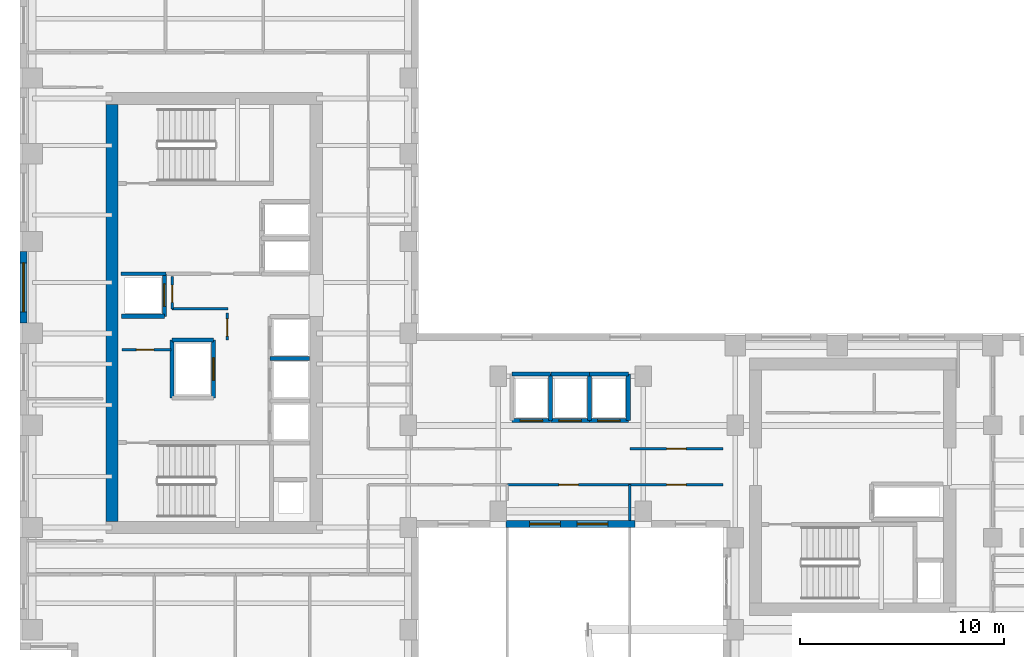
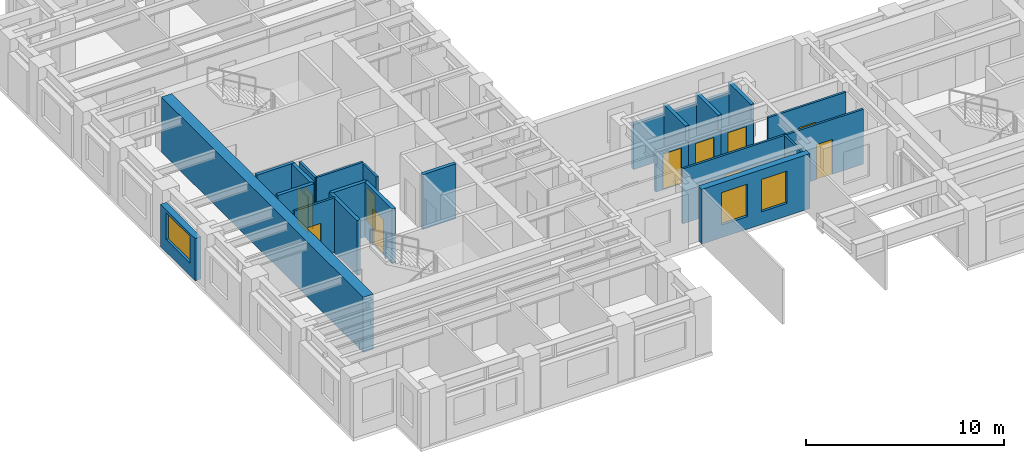
# One storey, part 7 of 13: 27 walls, 11 doors, 3 windows, 14 openings.
"""IFC4 building model written with IfcOpenShell, lengths in metres."""

from ifc_helpers import new_model, si_unit, direction, frame, frame_2d, origin, place, context, subcontext, project, spatial, rectangle, extrude, source, transform, mapped, material, layer, layer_set, type_object, element, fill, save


model = new_model("IFC4")

# Units and contexts
model_context = context("Model", 3, precision=1e-05, world=origin(), true_north=direction((0.0, 1.0)))
body_context = subcontext(model_context, "Body", "Model", "MODEL_VIEW")
ifc_project = project(units=[si_unit("LENGTHUNIT", "METRE"), si_unit("AREAUNIT", "SQUARE_METRE"), si_unit("VOLUMEUNIT", "CUBIC_METRE"), si_unit("PLANEANGLEUNIT", "RADIAN"), si_unit("MASSUNIT", "GRAM", prefix="KILO")], contexts=[model_context])

# Site, building, storey
site_placement = place(None, origin())
site = spatial("IfcSite", under=ifc_project, at=site_placement, CompositionType="ELEMENT")
building_placement = place(site_placement, origin())
building = spatial("IfcBuilding", under=site, at=building_placement, Name="Kharzan Plaza Tower", CompositionType="ELEMENT")
storey_placement = place(building_placement, frame((0.0, 0.0, 175.5)))
storey = spatial("IfcBuildingStorey", under=building, at=storey_placement, Name="L47", CompositionType="ELEMENT", Elevation=175.5)

# Wall, opening, window
ifc_material_1 = material(Name="Concrete C40/50", Category="concrete")
ifc_layer_1 = layer(ifc_material_1, 0.35009765625)
ifc_layer_set_1 = layer_set([ifc_layer_1], Name="Concrete C40/50")
wall_type_1 = type_object("IfcWallType", Name="WL-EXT-MAS-Z3", PredefinedType="SOLIDWALL", material=ifc_layer_set_1)
wall_1_placement = place(storey_placement, frame((0.175048828125, 22.001953125, 0.0), z_axis=(0.0, 0.0, 1.0), x_axis=(0.0, -1.0, 0.0)))
wall_1 = element("IfcWall", 1, at=wall_1_placement, inside=storey, type_object=wall_type_1, Name="L47 Masonry-Frame Exterior Wall 14", PredefinedType="SOLIDWALL", context=body_context, shape_type="SweptSolid", body=[
    extrude(rectangle(XDim=3.50390625, YDim=0.35009765625, at=frame_2d((1.751953125, 0.0))), origin(), (0.0, 0.0, 1.0), 2.612060546875),
])
opening_1_placement = place(wall_1_placement, frame((0.552001953125, 0.0, 0.780029296875)))
opening_1 = element("IfcOpeningElement", 2, at=opening_1_placement, cuts=wall_1, Name="Opening W2", PredefinedType="OPENING", context=body_context, shape_type="SweptSolid", body=[
    extrude(rectangle(XDim=2.39990234375, YDim=1.652099609375, at=frame_2d((1.199951171875, 0.826171875))), frame((0.0, 0.18505859375, 0.0), z_axis=(0.0, -1.0, 0.0), x_axis=(1.0, 0.0, 0.0)), (0.0, 0.0, 1.0), 0.3701171875),
])
ifc_material_2 = material(Name="Low-E Double Glazing", Category="glass")
window_type_1 = type_object("IfcWindowType", Name="WN-REC-2400x2100", PartitioningType="SINGLE_PANEL", PredefinedType="WINDOW", material=ifc_material_2)
shared_shape_1 = source(origin(), body_context, "Body", "SweptSolid", [
    extrude(rectangle(XDim=2.39990234375, YDim=1.652099609375, at=frame_2d((1.199951171875, 0.826171875))), frame((0.0, 0.030029296875, 0.0), z_axis=(0.0, -1.0, 0.0), x_axis=(1.0, 0.0, 0.0)), (0.0, 0.0, 1.0), 0.06005859375),
])
window_1_placement = place(opening_1_placement, origin())
window_1 = element("IfcWindow", 3, at=window_1_placement, inside=storey, type_object=window_type_1, Name="L47 Wide Recessed Solar-Control Window 14-1", OverallHeight=1.652099609375, OverallWidth=2.39990234375, PartitioningType="SINGLE_PANEL", PredefinedType="WINDOW", context=body_context, shape_type="MappedRepresentation", body=[
    mapped(shared_shape_1, transform((0.0, 0.0, 0.0), x_axis=(1.0, 0.0, 0.0), y_axis=(0.0, 1.0, 0.0), z_axis=(0.0, 0.0, 1.0))),
])
fill(opening_1, window_1)

# Wall, openings, windows
wall_2_placement = place(storey_placement, frame((23.798095703125, 8.675048828125, 0.0), z_axis=(0.0, 0.0, 1.0), x_axis=(1.0, 0.0, 0.0)))
wall_2 = element("IfcWall", 4, at=wall_2_placement, inside=storey, type_object=wall_type_1, Name="L47 Masonry-Frame Exterior Wall 27", PredefinedType="SOLIDWALL", context=body_context, shape_type="SweptSolid", body=[
    extrude(rectangle(XDim=6.303955078125, YDim=0.35009765625, at=frame_2d((3.15185546875, 0.0))), origin(), (0.0, 0.0, 1.0), 3.385009765625),
])
opening_2_placement = place(wall_2_placement, frame((1.147216796875, 0.0, 0.780029296875)))
opening_2 = element("IfcOpeningElement", 5, at=opening_2_placement, cuts=wall_2, Name="Opening W5", PredefinedType="OPENING", context=body_context, shape_type="SweptSolid", body=[
    extrude(rectangle(XDim=1.5, YDim=2.0, at=frame_2d((0.75, 1.0))), frame((0.0, 0.18505859375, 0.0), z_axis=(0.0, -1.0, 0.0), x_axis=(1.0, 0.0, 0.0)), (0.0, 0.0, 1.0), 0.3701171875),
])
opening_3_placement = place(wall_2_placement, frame((3.474609375, 0.0, 0.780029296875)))
opening_3 = element("IfcOpeningElement", 6, at=opening_3_placement, cuts=wall_2, Name="Opening W5", PredefinedType="OPENING", context=body_context, shape_type="SweptSolid", body=[
    extrude(rectangle(XDim=1.5, YDim=2.0, at=frame_2d((0.75, 1.0))), frame((0.0, 0.18505859375, 0.0), z_axis=(0.0, -1.0, 0.0), x_axis=(1.0, 0.0, 0.0)), (0.0, 0.0, 1.0), 0.3701171875),
])
window_type_2 = type_object("IfcWindowType", Name="WN-SLT-1500x2000", PartitioningType="SINGLE_PANEL", PredefinedType="WINDOW", material=ifc_material_2)
shared_shape_2 = source(origin(), body_context, "Body", "SweptSolid", [
    extrude(rectangle(XDim=1.5, YDim=2.0, at=frame_2d((0.75, 1.0))), frame((0.0, 0.030029296875, 0.0), z_axis=(0.0, -1.0, 0.0), x_axis=(1.0, 0.0, 0.0)), (0.0, 0.0, 1.0), 0.06005859375),
])
window_2_placement = place(opening_2_placement, origin())
window_2 = element("IfcWindow", 7, at=window_2_placement, inside=storey, type_object=window_type_2, Name="L47 Recessed Solar-Control Window 27-1", OverallHeight=2.0, OverallWidth=1.5, PartitioningType="SINGLE_PANEL", PredefinedType="WINDOW", context=body_context, shape_type="MappedRepresentation", body=[
    mapped(shared_shape_2, transform((0.0, 0.0, 0.0), x_axis=(1.0, 0.0, 0.0), y_axis=(0.0, 1.0, 0.0), z_axis=(0.0, 0.0, 1.0))),
])
fill(opening_2, window_2)
window_3_placement = place(opening_3_placement, origin())
window_3 = element("IfcWindow", 8, at=window_3_placement, inside=storey, type_object=window_type_2, Name="L47 Recessed Solar-Control Window 27-2", OverallHeight=2.0, OverallWidth=1.5, PartitioningType="SINGLE_PANEL", PredefinedType="WINDOW", context=body_context, shape_type="MappedRepresentation", body=[
    mapped(shared_shape_2, transform((0.0, 0.0, 0.0), x_axis=(1.0, 0.0, 0.0), y_axis=(0.0, 1.0, 0.0), z_axis=(0.0, 0.0, 1.0))),
])
fill(opening_3, window_3)

# Wall, opening, door
ifc_material_3 = material(Name="Fire-Rated Gypsum Board Partition", Category="gypsum")
ifc_layer_2 = layer(ifc_material_3, 0.125)
ifc_layer_set_2 = layer_set([ifc_layer_2], Name="Fire-Rated Gypsum Board Partition")
wall_type_2 = type_object("IfcWallType", Name="WL-INT-PART-125", PredefinedType="PARTITIONING", material=ifc_layer_set_2)
wall_3_placement = place(storey_placement, frame((10.14990234375, 17.679931640625, 0.0), z_axis=(0.0, 0.0, 1.0), x_axis=(0.0, 1.0, 0.0)))
wall_3 = element("IfcWall", 9, at=wall_3_placement, inside=storey, type_object=wall_type_2, Name="L47 Interior Partition CA-K2A", PredefinedType="PARTITIONING", context=body_context, shape_type="SweptSolid", body=[
    extrude(rectangle(XDim=1.320068359375, YDim=0.125, at=frame_2d((0.66015625, 0.0))), origin(), (0.0, 0.0, 1.0), 3.385009765625),
])
opening_4_placement = place(wall_3_placement, frame((0.18505859375, 0.0, 0.0)))
opening_4 = element("IfcOpeningElement", 10, at=opening_4_placement, cuts=wall_3, Name="Opening RD1", PredefinedType="OPENING", context=body_context, shape_type="SweptSolid", body=[
    extrude(rectangle(XDim=0.85009765625, YDim=2.10009765625, at=frame_2d((0.425048828125, 1.050048828125))), frame((0.0, 0.072509765625, 0.0), z_axis=(0.0, -1.0, 0.0), x_axis=(1.0, 0.0, 0.0)), (0.0, 0.0, 1.0), 0.14501953125),
])
ifc_material_4 = material(Name="Powder-Coated Fire-Rated Steel", Category="steel")
door_type_1 = type_object("IfcDoorType", Name="DR-RISER-900", OperationType="NOTDEFINED", PredefinedType="DOOR", material=ifc_material_4)
shared_shape_3 = source(origin(), body_context, "Body", "SweptSolid", [
    extrude(rectangle(XDim=0.85009765625, YDim=2.10009765625, at=frame_2d((0.425048828125, 1.050048828125))), frame((0.0, 0.02490234375, 0.0), z_axis=(0.0, -1.0, 0.0), x_axis=(1.0, 0.0, 0.0)), (0.0, 0.0, 1.0), 0.050048828125),
])
door_1_placement = place(opening_4_placement, origin())
door_1 = element("IfcDoor", 11, at=door_1_placement, inside=storey, type_object=door_type_1, Name="L47 Core Mechanical Store Door", OperationType="SINGLE_SWING_LEFT", OverallHeight=2.10009765625, OverallWidth=0.85009765625, PredefinedType="DOOR", context=body_context, shape_type="MappedRepresentation", body=[
    mapped(shared_shape_3, transform((0.0, 0.0, 0.0), x_axis=(1.0, 0.0, 0.0), y_axis=(0.0, 1.0, 0.0), z_axis=(0.0, 0.0, 1.0))),
])
fill(opening_4, door_1)

wall_4_placement = place(storey_placement, frame((7.449951171875, 19.199951171875, 0.0), z_axis=(0.0, 0.0, 1.0), x_axis=(0.0, 1.0, 0.0)))
wall_4 = element("IfcWall", 12, at=wall_4_placement, inside=storey, type_object=wall_type_2, Name="L47 Interior Partition CA-K2B", PredefinedType="PARTITIONING", context=body_context, shape_type="SweptSolid", body=[
    extrude(rectangle(XDim=1.580078125, YDim=0.125, at=frame_2d((0.7900390625, 0.0))), origin(), (0.0, 0.0, 1.0), 3.385009765625),
])
opening_5_placement = place(wall_4_placement, frame((0.31494140625, 0.0, 0.0)))
opening_5 = element("IfcOpeningElement", 13, at=opening_5_placement, cuts=wall_4, Name="Opening RD1", PredefinedType="OPENING", context=body_context, shape_type="SweptSolid", body=[
    extrude(rectangle(XDim=0.85009765625, YDim=2.10009765625, at=frame_2d((0.425048828125, 1.050048828125))), frame((0.0, 0.072509765625, 0.0), z_axis=(0.0, -1.0, 0.0), x_axis=(1.0, 0.0, 0.0)), (0.0, 0.0, 1.0), 0.14501953125),
])
door_2_placement = place(opening_5_placement, origin())
door_2 = element("IfcDoor", 14, at=door_2_placement, inside=storey, type_object=door_type_1, Name="L47 Core Plant Store Door", OperationType="SINGLE_SWING_RIGHT", OverallHeight=2.10009765625, OverallWidth=0.85009765625, PredefinedType="DOOR", context=body_context, shape_type="MappedRepresentation", body=[
    mapped(shared_shape_3, transform((0.0, 0.0, 0.0), x_axis=(1.0, 0.0, 0.0), y_axis=(0.0, 1.0, 0.0), z_axis=(0.0, 0.0, 1.0))),
])
fill(opening_5, door_2)

wall_5_placement = place(storey_placement, frame((5.0, 17.199951171875, 0.0), z_axis=(0.0, 0.0, 1.0), x_axis=(1.0, 0.0, 0.0)))
wall_5 = element("IfcWall", 15, at=wall_5_placement, inside=storey, type_object=wall_type_2, Name="L47 Interior Partition CA-K2N0", PredefinedType="PARTITIONING", context=body_context, shape_type="SweptSolid", body=[
    extrude(rectangle(XDim=2.39990234375, YDim=0.125, at=frame_2d((1.199951171875, 0.0))), origin(), (0.0, 0.0, 1.0), 3.385009765625),
])
opening_6_placement = place(wall_5_placement, frame((0.699951171875, 0.0, 0.0)))
opening_6 = element("IfcOpeningElement", 16, at=opening_6_placement, cuts=wall_5, Name="Opening RD1", PredefinedType="OPENING", context=body_context, shape_type="SweptSolid", body=[
    extrude(rectangle(XDim=0.85009765625, YDim=2.10009765625, at=frame_2d((0.425048828125, 1.050048828125))), frame((0.0, 0.072509765625, 0.0), z_axis=(0.0, -1.0, 0.0), x_axis=(1.0, 0.0, 0.0)), (0.0, 0.0, 1.0), 0.14501953125),
])
door_3_placement = place(opening_6_placement, origin())
door_3 = element("IfcDoor", 17, at=door_3_placement, inside=storey, type_object=door_type_1, Name="L47 Core Electrical Store Door", OperationType="SINGLE_SWING_RIGHT", OverallHeight=2.10009765625, OverallWidth=0.85009765625, PredefinedType="DOOR", context=body_context, shape_type="MappedRepresentation", body=[
    mapped(shared_shape_3, transform((0.0, 0.0, 0.0), x_axis=(1.0, 0.0, 0.0), y_axis=(0.0, 1.0, 0.0), z_axis=(0.0, 0.0, 1.0))),
])
fill(opening_6, door_3)

wall_6_placement = place(storey_placement, frame((29.85009765625, 12.35009765625, 0.0), z_axis=(0.0, 0.0, 1.0), x_axis=(1.0, 0.0, 0.0)))
wall_6 = element("IfcWall", 18, at=wall_6_placement, inside=storey, type_object=wall_type_2, Name="L47 Interior Partition SH-SPNE1", PredefinedType="PARTITIONING", context=body_context, shape_type="SweptSolid", body=[
    extrude(rectangle(XDim=4.5498046875, YDim=0.125, at=frame_2d((2.27490234375, 0.0))), origin(), (0.0, 0.0, 1.0), 3.385009765625),
])
opening_7_placement = place(wall_6_placement, frame((1.800048828125, 0.0, 0.0)))
opening_7 = element("IfcOpeningElement", 19, at=opening_7_placement, cuts=wall_6, Name="Opening OD1", PredefinedType="OPENING", context=body_context, shape_type="SweptSolid", body=[
    extrude(rectangle(XDim=0.949951171875, YDim=2.14990234375, at=frame_2d((0.47509765625, 1.074951171875))), frame((0.0, 0.072509765625, 0.0), z_axis=(0.0, -1.0, 0.0), x_axis=(1.0, 0.0, 0.0)), (0.0, 0.0, 1.0), 0.14501953125),
])
ifc_material_5 = material(Name="Acoustic Solid-Core Stained Oak", Category="timber")
door_type_2 = type_object("IfcDoorType", Name="DR-OFF-SINGLE", OperationType="NOTDEFINED", PredefinedType="DOOR", material=ifc_material_5)
shared_shape_4 = source(origin(), body_context, "Body", "SweptSolid", [
    extrude(rectangle(XDim=0.949951171875, YDim=2.14990234375, at=frame_2d((0.47509765625, 1.074951171875))), frame((0.0, 0.02490234375, 0.0), z_axis=(0.0, -1.0, 0.0), x_axis=(1.0, 0.0, 0.0)), (0.0, 0.0, 1.0), 0.050048828125),
])
door_4_placement = place(opening_7_placement, origin())
door_4 = element("IfcDoor", 20, at=door_4_placement, inside=storey, type_object=door_type_2, Name="L47 North-East Spine Door", OperationType="SINGLE_SWING_LEFT", OverallHeight=2.14990234375, OverallWidth=0.949951171875, PredefinedType="DOOR", context=body_context, shape_type="MappedRepresentation", body=[
    mapped(shared_shape_4, transform((0.0, 0.0, 0.0), x_axis=(1.0, 0.0, 0.0), y_axis=(0.0, 1.0, 0.0), z_axis=(0.0, 0.0, 1.0))),
])
fill(opening_7, door_4)

wall_7_placement = place(storey_placement, frame((23.85009765625, 10.60009765625, 0.0), z_axis=(0.0, 0.0, 1.0), x_axis=(1.0, 0.0, 0.0)))
wall_7 = element("IfcWall", 21, at=wall_7_placement, inside=storey, type_object=wall_type_2, Name="L47 Interior Partition SH-SPS2", PredefinedType="PARTITIONING", context=body_context, shape_type="SweptSolid", body=[
    extrude(rectangle(XDim=6.0, YDim=0.125, at=frame_2d((3.0, 0.0))), origin(), (0.0, 0.0, 1.0), 3.385009765625),
])
opening_8_placement = place(wall_7_placement, frame((2.52490234375, 0.0, 0.0)))
opening_8 = element("IfcOpeningElement", 22, at=opening_8_placement, cuts=wall_7, Name="Opening OD1", PredefinedType="OPENING", context=body_context, shape_type="SweptSolid", body=[
    extrude(rectangle(XDim=0.949951171875, YDim=2.14990234375, at=frame_2d((0.47509765625, 1.074951171875))), frame((0.0, 0.072509765625, 0.0), z_axis=(0.0, -1.0, 0.0), x_axis=(1.0, 0.0, 0.0)), (0.0, 0.0, 1.0), 0.14501953125),
])
door_5_placement = place(opening_8_placement, origin())
door_5 = element("IfcDoor", 23, at=door_5_placement, inside=storey, type_object=door_type_2, Name="L47 Spine Studio 2 Door", OperationType="SINGLE_SWING_RIGHT", OverallHeight=2.14990234375, OverallWidth=0.949951171875, PredefinedType="DOOR", context=body_context, shape_type="MappedRepresentation", body=[
    mapped(shared_shape_4, transform((0.0, 0.0, 0.0), x_axis=(1.0, 0.0, 0.0), y_axis=(0.0, 1.0, 0.0), z_axis=(0.0, 0.0, 1.0))),
])
fill(opening_8, door_5)

wall_8_placement = place(storey_placement, frame((29.85009765625, 10.60009765625, 0.0), z_axis=(0.0, 0.0, 1.0), x_axis=(1.0, 0.0, 0.0)))
wall_8 = element("IfcWall", 24, at=wall_8_placement, inside=storey, type_object=wall_type_2, Name="L47 Interior Partition SH-SPS3", PredefinedType="PARTITIONING", context=body_context, shape_type="SweptSolid", body=[
    extrude(rectangle(XDim=4.5498046875, YDim=0.125, at=frame_2d((2.27490234375, 0.0))), origin(), (0.0, 0.0, 1.0), 3.385009765625),
])
opening_9_placement = place(wall_8_placement, frame((1.800048828125, 0.0, 0.0)))
opening_9 = element("IfcOpeningElement", 25, at=opening_9_placement, cuts=wall_8, Name="Opening OD1", PredefinedType="OPENING", context=body_context, shape_type="SweptSolid", body=[
    extrude(rectangle(XDim=0.949951171875, YDim=2.14990234375, at=frame_2d((0.47509765625, 1.074951171875))), frame((0.0, 0.072509765625, 0.0), z_axis=(0.0, -1.0, 0.0), x_axis=(1.0, 0.0, 0.0)), (0.0, 0.0, 1.0), 0.14501953125),
])
door_6_placement = place(opening_9_placement, origin())
door_6 = element("IfcDoor", 26, at=door_6_placement, inside=storey, type_object=door_type_2, Name="L47 Spine Studio 3 Door", OperationType="SINGLE_SWING_LEFT", OverallHeight=2.14990234375, OverallWidth=0.949951171875, PredefinedType="DOOR", context=body_context, shape_type="MappedRepresentation", body=[
    mapped(shared_shape_4, transform((0.0, 0.0, 0.0), x_axis=(1.0, 0.0, 0.0), y_axis=(0.0, 1.0, 0.0), z_axis=(0.0, 0.0, 1.0))),
])
fill(opening_9, door_6)

ifc_layer_3 = layer(ifc_material_1, 0.199951171875)
ifc_layer_set_3 = layer_set([ifc_layer_3], Name="Concrete C40/50")
wall_type_3 = type_object("IfcWallType", Name="WL-INT-SHAFT-200", PredefinedType="PARTITIONING", material=ifc_layer_set_3)
wall_9_placement = place(storey_placement, frame((7.070068359375, 18.840087890625, 0.0), z_axis=(0.0, 0.0, 1.0), x_axis=(0.0, 1.0, 0.0)))
wall_9 = element("IfcWall", 27, at=wall_9_placement, inside=storey, type_object=wall_type_3, Name="L47 Interior Partition SHF-PL-H4-E", PredefinedType="PARTITIONING", context=body_context, shape_type="SweptSolid", body=[
    extrude(rectangle(XDim=2.059814453125, YDim=0.199951171875, at=frame_2d((1.02978515625, 0.0))), origin(), (0.0, 0.0, 1.0), 3.385009765625),
])
opening_10_placement = place(wall_9_placement, frame((0.47998046875, 0.0, 0.0)))
opening_10 = element("IfcOpeningElement", 28, at=opening_10_placement, cuts=wall_9, Name="Opening LD", PredefinedType="OPENING", context=body_context, shape_type="SweptSolid", body=[
    extrude(rectangle(XDim=1.10009765625, YDim=2.199951171875, at=frame_2d((0.550048828125, 1.10009765625))), frame((0.0, 0.10986328125, 0.0), z_axis=(0.0, -1.0, 0.0), x_axis=(1.0, 0.0, 0.0)), (0.0, 0.0, 1.0), 0.219970703125),
])
ifc_material_6 = material(Name="Brushed Stainless Steel", Category="steel")
door_type_3 = type_object("IfcDoorType", Name="DR-LIFT-SLIDE", OperationType="SLIDING_TO_LEFT", PredefinedType="DOOR", material=ifc_material_6)
shared_shape_5 = source(origin(), body_context, "Body", "SweptSolid", [
    extrude(rectangle(XDim=1.10009765625, YDim=2.199951171875, at=frame_2d((0.550048828125, 1.10009765625))), frame((0.0, 0.02490234375, 0.0), z_axis=(0.0, -1.0, 0.0), x_axis=(1.0, 0.0, 0.0)), (0.0, 0.0, 1.0), 0.050048828125),
])
door_7_placement = place(opening_10_placement, origin())
door_7 = element("IfcDoor", 29, at=door_7_placement, inside=storey, type_object=door_type_3, Name="L47 High-Rise Passenger Lift PL-H4 Sliding Landing Door", OperationType="SLIDING_TO_LEFT", OverallHeight=2.199951171875, OverallWidth=1.10009765625, PredefinedType="DOOR", context=body_context, shape_type="MappedRepresentation", body=[
    mapped(shared_shape_5, transform((0.0, 0.0, 0.0), x_axis=(1.0, 0.0, 0.0), y_axis=(0.0, 1.0, 0.0), z_axis=(0.0, 0.0, 1.0))),
])
fill(opening_10, door_7)

wall_10_placement = place(storey_placement, frame((24.080078125, 13.72998046875, 0.0), z_axis=(0.0, 0.0, 1.0), x_axis=(1.0, 0.0, 0.0)))
wall_10 = element("IfcWall", 30, at=wall_10_placement, inside=storey, type_object=wall_type_3, Name="L47 Interior Partition SHF-PL-M1-S", PredefinedType="PARTITIONING", context=body_context, shape_type="SweptSolid", body=[
    extrude(rectangle(XDim=1.889892578125, YDim=0.199951171875, at=frame_2d((0.94482421875, 0.0))), origin(), (0.0, 0.0, 1.0), 2.466064453125),
])
opening_11_placement = place(wall_10_placement, frame((0.39501953125, 0.0, 0.0)))
opening_11 = element("IfcOpeningElement", 31, at=opening_11_placement, cuts=wall_10, Name="Opening LD", PredefinedType="OPENING", context=body_context, shape_type="SweptSolid", body=[
    extrude(rectangle(XDim=1.10009765625, YDim=2.199951171875, at=frame_2d((0.550048828125, 1.10009765625))), frame((0.0, 0.10986328125, 0.0), z_axis=(0.0, -1.0, 0.0), x_axis=(1.0, 0.0, 0.0)), (0.0, 0.0, 1.0), 0.219970703125),
])
door_8_placement = place(opening_11_placement, origin())
door_8 = element("IfcDoor", 32, at=door_8_placement, inside=storey, type_object=door_type_3, Name="L47 Mid-Rise Passenger Lift PL-M1 Sliding Landing Door", OperationType="SLIDING_TO_LEFT", OverallHeight=2.199951171875, OverallWidth=1.10009765625, PredefinedType="DOOR", context=body_context, shape_type="MappedRepresentation", body=[
    mapped(shared_shape_5, transform((0.0, 0.0, 0.0), x_axis=(1.0, 0.0, 0.0), y_axis=(0.0, 1.0, 0.0), z_axis=(0.0, 0.0, 1.0))),
])
fill(opening_11, door_8)

wall_11_placement = place(storey_placement, frame((25.97998046875, 13.72998046875, 0.0), z_axis=(0.0, 0.0, 1.0), x_axis=(1.0, 0.0, 0.0)))
wall_11 = element("IfcWall", 33, at=wall_11_placement, inside=storey, type_object=wall_type_3, Name="L47 Interior Partition SHF-PL-M2-S", PredefinedType="PARTITIONING", context=body_context, shape_type="SweptSolid", body=[
    extrude(rectangle(XDim=1.89013671875, YDim=0.199951171875, at=frame_2d((0.945068359375, 0.0))), origin(), (0.0, 0.0, 1.0), 2.466064453125),
])
opening_12_placement = place(wall_11_placement, frame((0.39501953125, 0.0, 0.0)))
opening_12 = element("IfcOpeningElement", 34, at=opening_12_placement, cuts=wall_11, Name="Opening LD", PredefinedType="OPENING", context=body_context, shape_type="SweptSolid", body=[
    extrude(rectangle(XDim=1.10009765625, YDim=2.199951171875, at=frame_2d((0.550048828125, 1.10009765625))), frame((0.0, 0.10986328125, 0.0), z_axis=(0.0, -1.0, 0.0), x_axis=(1.0, 0.0, 0.0)), (0.0, 0.0, 1.0), 0.219970703125),
])
door_9_placement = place(opening_12_placement, origin())
door_9 = element("IfcDoor", 35, at=door_9_placement, inside=storey, type_object=door_type_3, Name="L47 Mid-Rise Passenger Lift PL-M2 Sliding Landing Door", OperationType="SLIDING_TO_LEFT", OverallHeight=2.199951171875, OverallWidth=1.10009765625, PredefinedType="DOOR", context=body_context, shape_type="MappedRepresentation", body=[
    mapped(shared_shape_5, transform((0.0, 0.0, 0.0), x_axis=(1.0, 0.0, 0.0), y_axis=(0.0, 1.0, 0.0), z_axis=(0.0, 0.0, 1.0))),
])
fill(opening_12, door_9)

wall_12_placement = place(storey_placement, frame((27.8798828125, 13.72998046875, 0.0), z_axis=(0.0, 0.0, 1.0), x_axis=(1.0, 0.0, 0.0)))
wall_12 = element("IfcWall", 36, at=wall_12_placement, inside=storey, type_object=wall_type_3, Name="L47 Interior Partition SHF-PL-M3-S", PredefinedType="PARTITIONING", context=body_context, shape_type="SweptSolid", body=[
    extrude(rectangle(XDim=1.89013671875, YDim=0.199951171875, at=frame_2d((0.945068359375, 0.0))), origin(), (0.0, 0.0, 1.0), 2.466064453125),
])
opening_13_placement = place(wall_12_placement, frame((0.39501953125, 0.0, 0.0)))
opening_13 = element("IfcOpeningElement", 37, at=opening_13_placement, cuts=wall_12, Name="Opening LD", PredefinedType="OPENING", context=body_context, shape_type="SweptSolid", body=[
    extrude(rectangle(XDim=1.10009765625, YDim=2.199951171875, at=frame_2d((0.550048828125, 1.10009765625))), frame((0.0, 0.10986328125, 0.0), z_axis=(0.0, -1.0, 0.0), x_axis=(1.0, 0.0, 0.0)), (0.0, 0.0, 1.0), 0.219970703125),
])
door_10_placement = place(opening_13_placement, origin())
door_10 = element("IfcDoor", 38, at=door_10_placement, inside=storey, type_object=door_type_3, Name="L47 Mid-Rise Passenger Lift PL-M3 Sliding Landing Door", OperationType="SLIDING_TO_LEFT", OverallHeight=2.199951171875, OverallWidth=1.10009765625, PredefinedType="DOOR", context=body_context, shape_type="MappedRepresentation", body=[
    mapped(shared_shape_5, transform((0.0, 0.0, 0.0), x_axis=(1.0, 0.0, 0.0), y_axis=(0.0, 1.0, 0.0), z_axis=(0.0, 0.0, 1.0))),
])
fill(opening_13, door_10)

wall_13_placement = place(storey_placement, frame((9.469970703125, 14.830078125, 0.0), z_axis=(0.0, 0.0, 1.0), x_axis=(0.0, 1.0, 0.0)))
wall_13 = element("IfcWall", 39, at=wall_13_placement, inside=storey, type_object=wall_type_3, Name="L47 Interior Partition SHF-SVL-1-E", PredefinedType="PARTITIONING", context=body_context, shape_type="SweptSolid", body=[
    extrude(rectangle(XDim=2.83984375, YDim=0.199951171875, at=frame_2d((1.419921875, 0.0))), origin(), (0.0, 0.0, 1.0), 3.385009765625),
])
opening_14_placement = place(wall_13_placement, frame((0.8701171875, 0.0, 0.0)))
opening_14 = element("IfcOpeningElement", 40, at=opening_14_placement, cuts=wall_13, Name="Opening LD", PredefinedType="OPENING", context=body_context, shape_type="SweptSolid", body=[
    extrude(rectangle(XDim=1.10009765625, YDim=2.199951171875, at=frame_2d((0.550048828125, 1.10009765625))), frame((0.0, 0.10986328125, 0.0), z_axis=(0.0, -1.0, 0.0), x_axis=(1.0, 0.0, 0.0)), (0.0, 0.0, 1.0), 0.219970703125),
])
door_11_placement = place(opening_14_placement, origin())
door_11 = element("IfcDoor", 41, at=door_11_placement, inside=storey, type_object=door_type_3, Name="L47 Service Lift SVL-1 Sliding Landing Door", OperationType="SLIDING_TO_LEFT", OverallHeight=2.199951171875, OverallWidth=1.10009765625, PredefinedType="DOOR", context=body_context, shape_type="MappedRepresentation", body=[
    mapped(shared_shape_5, transform((0.0, 0.0, 0.0), x_axis=(1.0, 0.0, 0.0), y_axis=(0.0, 1.0, 0.0), z_axis=(0.0, 0.0, 1.0))),
])
fill(opening_14, door_11)

# Walls
ifc_material_7 = material(Name="Concrete C50/60", Category="concrete")
ifc_layer_4 = layer(ifc_material_7, 0.60009765625)
ifc_layer_set_4 = layer_set([ifc_layer_4], Name="Concrete C50/60")
wall_type_4 = type_object("IfcWallType", Name="WL-CORE-600", PredefinedType="SHEAR", material=ifc_layer_set_4)
shared_shape_6 = source(origin(), body_context, "Body", "SweptSolid", [
    extrude(rectangle(XDim=20.39990234375, YDim=0.60009765625, at=frame_2d((10.199951171875, 0.0))), origin(), (0.0, 0.0, 1.0), 3.39990234375),
])
wall_14_placement = place(storey_placement, frame((4.5, 8.800048828125, 0.0), z_axis=(0.0, 0.0, 1.0), x_axis=(0.0, 1.0, 0.0)))
element("IfcWall", 42, at=wall_14_placement, inside=storey, type_object=wall_type_4, Name="L47 CORE-A west RC shear wall", PredefinedType="SHEAR", context=body_context, shape_type="MappedRepresentation", body=[
    mapped(shared_shape_6, transform((0.0, 0.0, 0.0), x_axis=(1.0, 0.0, 0.0), y_axis=(0.0, 1.0, 0.0), z_axis=(0.0, 0.0, 1.0))),
])
ifc_layer_5 = layer(ifc_material_1, 0.179931640625)
ifc_layer_set_5 = layer_set([ifc_layer_5], Name="Concrete C40/50")
wall_type_5 = type_object("IfcWallType", Name="WL-INT-FIRE-180", PredefinedType="PARTITIONING", material=ifc_layer_set_5)
shared_shape_7 = source(origin(), body_context, "Body", "SweptSolid", [
    extrude(rectangle(XDim=2.199951171875, YDim=0.179931640625, at=frame_2d((1.10009765625, 0.0))), origin(), (0.0, 0.0, 1.0), 3.385009765625),
])
wall_15_placement = place(storey_placement, frame((4.949951171875, 20.919921875, 0.0), z_axis=(0.0, 0.0, 1.0), x_axis=(1.0, 0.0, 0.0)))
element("IfcWall", 43, at=wall_15_placement, inside=storey, type_object=wall_type_5, Name="L47 Interior Partition CA-FF-SW", PredefinedType="PARTITIONING", context=body_context, shape_type="MappedRepresentation", body=[
    mapped(shared_shape_7, transform((0.0, 0.0, 0.0), x_axis=(1.0, 0.0, 0.0), y_axis=(0.0, 1.0, 0.0), z_axis=(0.0, 0.0, 1.0))),
])
shared_shape_8 = source(origin(), body_context, "Body", "SweptSolid", [
    extrude(rectangle(XDim=2.72998046875, YDim=0.125, at=frame_2d((1.364990234375, 0.0))), origin(), (0.0, 0.0, 1.0), 3.385009765625),
])
wall_16_placement = place(storey_placement, frame((7.449951171875, 19.199951171875, 0.0), z_axis=(0.0, 0.0, 1.0), x_axis=(1.0, 0.0, 0.0)))
element("IfcWall", 44, at=wall_16_placement, inside=storey, type_object=wall_type_2, Name="L47 Interior Partition CA-K2M", PredefinedType="PARTITIONING", context=body_context, shape_type="MappedRepresentation", body=[
    mapped(shared_shape_8, transform((0.0, 0.0, 0.0), x_axis=(1.0, 0.0, 0.0), y_axis=(0.0, 1.0, 0.0), z_axis=(0.0, 0.0, 1.0))),
])
shared_shape_9 = source(origin(), body_context, "Body", "SweptSolid", [
    extrude(rectangle(XDim=1.93994140625, YDim=0.199951171875, at=frame_2d((0.969970703125, 0.0))), origin(), (0.0, 0.0, 1.0), 3.385009765625),
])
wall_17_placement = place(storey_placement, frame((12.22998046875, 16.77001953125, 0.0), z_axis=(0.0, 0.0, 1.0), x_axis=(1.0, 0.0, 0.0)))
element("IfcWall", 45, at=wall_17_placement, inside=storey, type_object=wall_type_3, Name="L47 Interior Partition SHF-PL-H2-N", PredefinedType="PARTITIONING", context=body_context, shape_type="MappedRepresentation", body=[
    mapped(shared_shape_9, transform((0.0, 0.0, 0.0), x_axis=(1.0, 0.0, 0.0), y_axis=(0.0, 1.0, 0.0), z_axis=(0.0, 0.0, 1.0))),
])
shared_shape_10 = source(origin(), body_context, "Body", "SweptSolid", [
    extrude(rectangle(XDim=2.090087890625, YDim=0.199951171875, at=frame_2d((1.044921875, 0.0))), origin(), (0.0, 0.0, 1.0), 3.385009765625),
])
wall_18_placement = place(storey_placement, frame((4.97998046875, 18.840087890625, 0.0), z_axis=(0.0, 0.0, 1.0), x_axis=(1.0, 0.0, 0.0)))
element("IfcWall", 46, at=wall_18_placement, inside=storey, type_object=wall_type_3, Name="L47 Interior Partition SHF-PL-H4-S", PredefinedType="PARTITIONING", context=body_context, shape_type="MappedRepresentation", body=[
    mapped(shared_shape_10, transform((0.0, 0.0, 0.0), x_axis=(1.0, 0.0, 0.0), y_axis=(0.0, 1.0, 0.0), z_axis=(0.0, 0.0, 1.0))),
])
shared_shape_11 = source(origin(), body_context, "Body", "SweptSolid", [
    extrude(rectangle(XDim=2.2900390625, YDim=0.199951171875, at=frame_2d((1.14501953125, 0.0))), origin(), (0.0, 0.0, 1.0), 3.385009765625),
])
for number, where, z_axis, x_axis, name in (
    (47, (25.969970703125, 13.72998046875, 0.0), (0.0, 0.0, 1.0), (0.0, 1.0, 0.0), "L47 Interior Partition SHF-PL-M1-E"),
    (48, (27.8701171875, 13.72998046875, 0.0), (0.0, 0.0, 1.0), (0.0, 1.0, 0.0), "L47 Interior Partition SHF-PL-M2-E"),
    (49, (29.77001953125, 13.72998046875, 0.0), (0.0, 0.0, 1.0), (0.0, 1.0, 0.0), "L47 Interior Partition SHF-PL-M3-E"),
):
    element("IfcWall", number, at=place(storey_placement, frame(where, z_axis=z_axis, x_axis=x_axis)), inside=storey, type_object=wall_type_3, Name=name, PredefinedType="PARTITIONING", context=body_context, shape_type="MappedRepresentation", body=[
        mapped(shared_shape_11, transform((0.0, 0.0, 0.0), x_axis=(1.0, 0.0, 0.0), y_axis=(0.0, 1.0, 0.0), z_axis=(0.0, 0.0, 1.0))),
    ])
shared_shape_12 = source(origin(), body_context, "Body", "SweptSolid", [
    extrude(rectangle(XDim=1.889892578125, YDim=0.199951171875, at=frame_2d((0.94482421875, 0.0))), origin(), (0.0, 0.0, 1.0), 2.77294921875),
])
wall_19_placement = place(storey_placement, frame((24.080078125, 16.02001953125, 0.0), z_axis=(0.0, 0.0, 1.0), x_axis=(1.0, 0.0, 0.0)))
element("IfcWall", 50, at=wall_19_placement, inside=storey, type_object=wall_type_3, Name="L47 Interior Partition SHF-PL-M1-N", PredefinedType="PARTITIONING", context=body_context, shape_type="MappedRepresentation", body=[
    mapped(shared_shape_12, transform((0.0, 0.0, 0.0), x_axis=(1.0, 0.0, 0.0), y_axis=(0.0, 1.0, 0.0), z_axis=(0.0, 0.0, 1.0))),
])
shared_shape_13 = source(origin(), body_context, "Body", "SweptSolid", [
    extrude(rectangle(XDim=1.89013671875, YDim=0.199951171875, at=frame_2d((0.945068359375, 0.0))), origin(), (0.0, 0.0, 1.0), 2.77294921875),
])
for number, where, z_axis, x_axis, name in (
    (51, (25.97998046875, 16.02001953125, 0.0), (0.0, 0.0, 1.0), (1.0, 0.0, 0.0), "L47 Interior Partition SHF-PL-M2-N"),
    (52, (27.8798828125, 16.02001953125, 0.0), (0.0, 0.0, 1.0), (1.0, 0.0, 0.0), "L47 Interior Partition SHF-PL-M3-N"),
):
    element("IfcWall", number, at=place(storey_placement, frame(where, z_axis=z_axis, x_axis=x_axis)), inside=storey, type_object=wall_type_3, Name=name, PredefinedType="PARTITIONING", context=body_context, shape_type="MappedRepresentation", body=[
        mapped(shared_shape_13, transform((0.0, 0.0, 0.0), x_axis=(1.0, 0.0, 0.0), y_axis=(0.0, 1.0, 0.0), z_axis=(0.0, 0.0, 1.0))),
    ])
shared_shape_14 = source(origin(), body_context, "Body", "SweptSolid", [
    extrude(rectangle(XDim=2.0400390625, YDim=0.199951171875, at=frame_2d((1.02001953125, 0.0))), origin(), (0.0, 0.0, 1.0), 3.385009765625),
])
wall_20_placement = place(storey_placement, frame((7.429931640625, 17.669921875, 0.0), z_axis=(0.0, 0.0, 1.0), x_axis=(1.0, 0.0, 0.0)))
element("IfcWall", 53, at=wall_20_placement, inside=storey, type_object=wall_type_3, Name="L47 Interior Partition SHF-SVL-1-N", PredefinedType="PARTITIONING", context=body_context, shape_type="MappedRepresentation", body=[
    mapped(shared_shape_14, transform((0.0, 0.0, 0.0), x_axis=(1.0, 0.0, 0.0), y_axis=(0.0, 1.0, 0.0), z_axis=(0.0, 0.0, 1.0))),
])
shared_shape_15 = source(origin(), body_context, "Body", "SweptSolid", [
    extrude(rectangle(XDim=2.83984375, YDim=0.199951171875, at=frame_2d((1.419921875, 0.0))), origin(), (0.0, 0.0, 1.0), 3.385009765625),
])
wall_21_placement = place(storey_placement, frame((7.429931640625, 14.830078125, 0.0), z_axis=(0.0, 0.0, 1.0), x_axis=(0.0, 1.0, 0.0)))
element("IfcWall", 54, at=wall_21_placement, inside=storey, type_object=wall_type_3, Name="L47 Interior Partition SHF-SVL-1-W", PredefinedType="PARTITIONING", context=body_context, shape_type="MappedRepresentation", body=[
    mapped(shared_shape_15, transform((0.0, 0.0, 0.0), x_axis=(1.0, 0.0, 0.0), y_axis=(0.0, 1.0, 0.0), z_axis=(0.0, 0.0, 1.0))),
])
shared_shape_16 = source(origin(), body_context, "Body", "SweptSolid", [
    extrude(rectangle(XDim=1.748046875, YDim=0.125, at=frame_2d((0.8740234375, 0.0))), origin(), (0.0, 0.0, 1.0), 3.385009765625),
])
wall_22_placement = place(storey_placement, frame((29.85009765625, 8.85205078125, 0.0), z_axis=(0.0, 0.0, 1.0), x_axis=(0.0, 1.0, 0.0)))
element("IfcWall", 55, at=wall_22_placement, inside=storey, type_object=wall_type_2, Name="L47 Interior Partition SH-SPSV2-S2", PredefinedType="PARTITIONING", context=body_context, shape_type="MappedRepresentation", body=[
    mapped(shared_shape_16, transform((0.0, 0.0, 0.0), x_axis=(1.0, 0.0, 0.0), y_axis=(0.0, 1.0, 0.0), z_axis=(0.0, 0.0, 1.0))),
])

save(model, "model.ifc")
